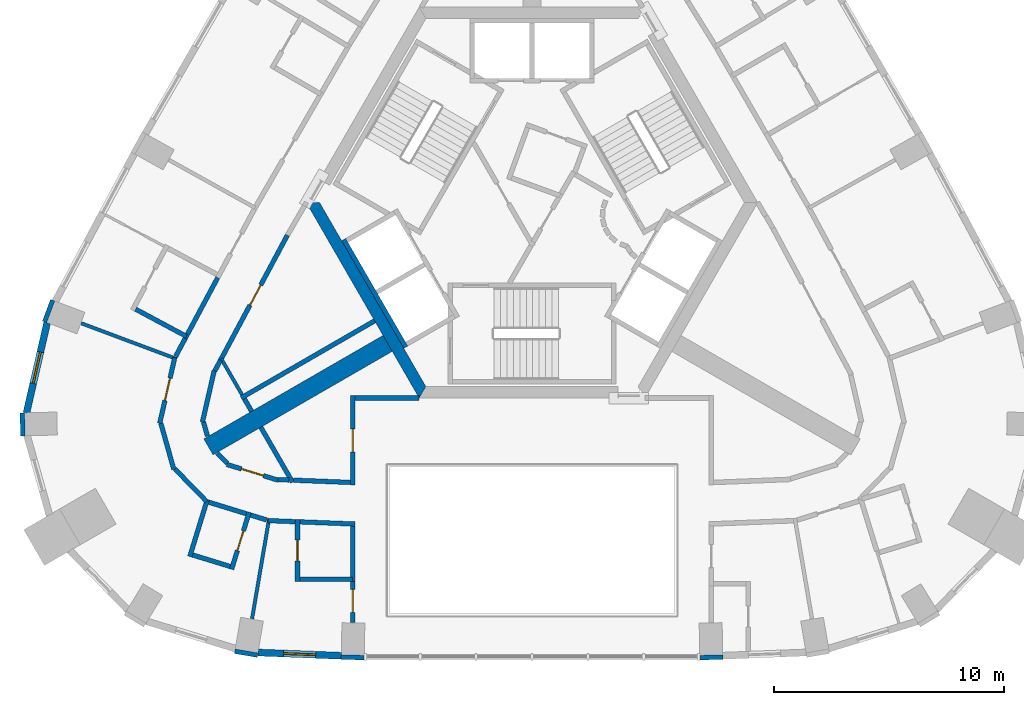
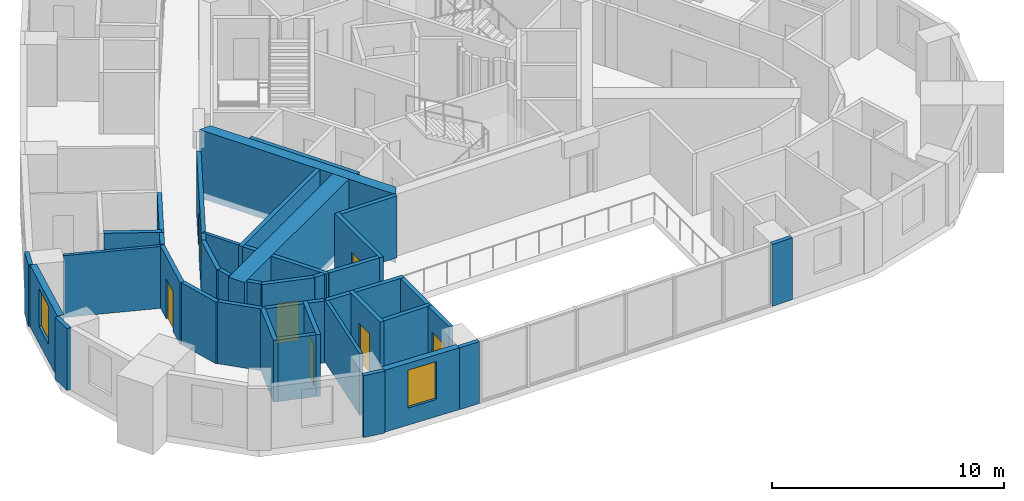
# One storey, part 2 of 9: 43 walls, 7 doors, 2 windows, 9 openings.
"""IFC4 building model written with IfcOpenShell, lengths in metres."""

from ifc_helpers import new_model, si_unit, direction, frame, frame_2d, origin, place, context, subcontext, project, spatial, polyline, rectangle, outline, extrude, material, layer, layer_set, type_object, element, fill, save


model = new_model("IFC4")

# Units and contexts
model_context = context("Model", 3, precision=1e-05, world=origin(), true_north=direction((0.0, 1.0)))
body_context = subcontext(model_context, "Body", "Model", "MODEL_VIEW")
ifc_project = project(units=[si_unit("LENGTHUNIT", "METRE"), si_unit("AREAUNIT", "SQUARE_METRE"), si_unit("VOLUMEUNIT", "CUBIC_METRE"), si_unit("PLANEANGLEUNIT", "RADIAN"), si_unit("MASSUNIT", "GRAM", prefix="KILO")], contexts=[model_context])

# Site, building, storey
site_placement = place(None, origin())
site = spatial("IfcSite", under=ifc_project, at=site_placement, CompositionType="ELEMENT")
building_placement = place(site_placement, origin())
building = spatial("IfcBuilding", under=site, at=building_placement, Name="Entoto Arch Interchange Tower", CompositionType="ELEMENT")
storey_placement = place(building_placement, frame((0.0, 0.0, 290.0)))
storey = spatial("IfcBuildingStorey", under=building, at=storey_placement, Name="L67", CompositionType="ELEMENT", Elevation=290.0)

# Walls
ifc_material_1 = material(Name="Concrete C40/50", Category="concrete")
ifc_layer_1 = layer(ifc_material_1, 0.800048828125)
ifc_layer_set_1 = layer_set([ifc_layer_1], Name="Concrete C40/50")
wall_type_1 = type_object("IfcWallType", Name="Buttress wall 800 C40/50", PredefinedType="SHEAR", material=ifc_layer_set_1)
wall_1_placement = place(storey_placement, frame((-6.279052734375, -3.625, -0.340087890625), z_axis=(0.0, 0.0, 1.0), x_axis=(-0.866017533419, -0.500013631625, 0.0)))
element("IfcWall", 1, at=wall_1_placement, inside=storey, type_object=wall_type_1, Name="Buttress wall SW L67", PredefinedType="SHEAR", context=body_context, shape_type="SweptSolid", body=[
    extrude(rectangle(XDim=8.999755859375, YDim=0.800048828125, at=frame_2d((4.5, 0.0))), origin(), (0.0, 0.0, 1.0), 3.60009765625),
])
ifc_layer_2 = layer(ifc_material_1, 0.5)
ifc_layer_set_2 = layer_set([ifc_layer_2], Name="Concrete C40/50")
wall_type_2 = type_object("IfcWallType", Name="Core wall 500 C40/50", PredefinedType="SHEAR", material=ifc_layer_set_2)
wall_2_placement = place(storey_placement, frame((0.0, 0.0, -0.340087890625)))
element("IfcWall", 2, at=wall_2_placement, inside=storey, type_object=wall_type_2, Name="Core wall SW L67", PredefinedType="SHEAR", context=body_context, shape_type="SweptSolid", body=[
    extrude(outline(polyline([(-9.81494140625, 2.5), (-4.906982421875, -6.0), (-4.618896484375, -5.5), (-9.238037109375, 2.5), (-9.81494140625, 2.5)])), origin(), (0.0, 0.0, 1.0), 3.60009765625),
])
ifc_layer_3 = layer(ifc_material_1, 0.199951171875)
ifc_layer_set_3 = layer_set([ifc_layer_3], Name="Concrete C40/50")
wall_type_3 = type_object("IfcWallType", Name="LIFT SHAFT WALL 200", PredefinedType="STANDARD", material=ifc_layer_set_3)
wall_3_placement = place(storey_placement, frame((-8.19189453125, 0.887939453125, 0.0), z_axis=(0.0, 0.0, 1.0), x_axis=(0.500034260056, -0.866005622828, 0.0)))
element("IfcWall", 3, at=wall_3_placement, inside=storey, type_object=wall_type_3, Name="Shaft wall SW1 back", PredefinedType="STANDARD", context=body_context, shape_type="SweptSolid", body=[
    extrude(rectangle(XDim=5.3994140625, YDim=0.199951171875, at=frame_2d((2.69970703125, 0.0))), origin(), (0.0, 0.0, 1.0), 3.260009765625),
])
ifc_material_2 = material(Name="Gypsum board partition on steel studs", Category="steel")
ifc_layer_4 = layer(ifc_material_2, 0.14990234375)
ifc_layer_set_4 = layer_set([ifc_layer_4], Name="Gypsum board partition on steel studs")
wall_type_4 = type_object("IfcWallType", Name="PARTITION 150", PredefinedType="PARTITIONING", material=ifc_layer_set_4)
wall_4_placement = place(storey_placement, frame((-12.611083984375, -5.85693359375, 0.0), z_axis=(0.0, 0.0, 1.0), x_axis=(-0.500120037633, 0.865956088932, 0.0)))
element("IfcWall", 4, at=wall_4_placement, inside=storey, type_object=wall_type_4, Name="wall:L67:p083", PredefinedType="PARTITIONING", context=body_context, shape_type="SweptSolid", body=[
    extrude(rectangle(XDim=1.80712890625, YDim=0.14990234375, at=frame_2d((0.903564453125, 0.0))), origin(), (0.0, 0.0, 1.0), 3.260009765625),
])
wall_5_placement = place(storey_placement, frame((-15.449951171875, -4.303955078125, 0.0), z_axis=(0.0, 0.0, 1.0), x_axis=(-0.936458128132, 0.350779381172, 0.0)))
element("IfcWall", 5, at=wall_5_placement, inside=storey, type_object=wall_type_4, Name="wall:L67:p126", PredefinedType="PARTITIONING", context=body_context, shape_type="SweptSolid", body=[
    extrude(rectangle(XDim=4.432861328125, YDim=0.14990234375, at=frame_2d((2.21630859375, 0.0))), origin(), (0.0, 0.0, 1.0), 3.260009765625),
])
wall_6_placement = place(storey_placement, frame((-11.431884765625, -11.23388671875, 0.0), z_axis=(0.0, 0.0, 1.0), x_axis=(-0.16797255243, -0.98579167253, 0.0)))
element("IfcWall", 6, at=wall_6_placement, inside=storey, type_object=wall_type_4, Name="wall:L67:p130", PredefinedType="PARTITIONING", context=body_context, shape_type="SweptSolid", body=[
    extrude(rectangle(XDim=4.43017578125, YDim=0.14990234375, at=frame_2d((2.215087890625, 0.0))), origin(), (0.0, 0.0, 1.0), 3.260009765625),
])

# Wall, opening, door
ifc_layer_5 = layer(ifc_material_2, 0.199951171875)
ifc_layer_set_5 = layer_set([ifc_layer_5], Name="Gypsum board partition on steel studs")
wall_type_5 = type_object("IfcWallType", Name="PARTITION 200", PredefinedType="PARTITIONING", material=ifc_layer_set_5)
wall_7_placement = place(storey_placement, frame((-10.638916015625, 1.083984375, 0.0), z_axis=(0.0, 0.0, 1.0), x_axis=(-0.471696599276, -0.881760918975, 0.0)))
wall_7 = element("IfcWall", 7, at=wall_7_placement, inside=storey, type_object=wall_type_5, Name="wall:L67:p022", PredefinedType="PARTITIONING", context=body_context, shape_type="SweptSolid", body=[
    extrude(rectangle(XDim=6.171630859375, YDim=0.199951171875, at=frame_2d((3.0859375, 0.0))), origin(), (0.0, 0.0, 1.0), 3.260009765625),
])
opening_1_placement = place(wall_7_placement, frame((2.4580078125, 0.0, 0.0)))
opening_1 = element("IfcOpeningElement", 8, at=opening_1_placement, cuts=wall_7, Name="Opening L67-D31", PredefinedType="OPENING", context=body_context, shape_type="SweptSolid", body=[
    extrude(rectangle(XDim=1.0, YDim=2.10009765625, at=frame_2d((0.5, 1.050048828125))), frame((0.0, 0.10986328125, 0.0), z_axis=(0.0, -1.0, 0.0), x_axis=(1.0, 0.0, 0.0)), (0.0, 0.0, 1.0), 0.219970703125),
])
ifc_material_3 = material(Name="Timber door leaf in Steel S235 frame", Category="steel")
door_type_1 = type_object("IfcDoorType", Name="DOOR DS-10 1000x2100", OperationType="SINGLE_SWING_LEFT", PredefinedType="DOOR", material=ifc_material_3)
door_1_placement = place(opening_1_placement, origin())
door_1 = element("IfcDoor", 9, at=door_1_placement, inside=storey, type_object=door_type_1, Name="door:L67:31", OperationType="SINGLE_SWING_LEFT", OverallHeight=2.10009765625, OverallWidth=1.0, PredefinedType="DOOR", context=body_context, shape_type="SweptSolid", body=[
    extrude(rectangle(XDim=1.0, YDim=2.10009765625, at=frame_2d((0.5, 1.050048828125))), frame((0.0, 0.02490234375, 0.0), z_axis=(0.0, -1.0, 0.0), x_axis=(1.0, 0.0, 0.0)), (0.0, 0.0, 1.0), 0.050048828125),
])
fill(opening_1, door_1)

# Walls
wall_8_placement = place(storey_placement, frame((-10.366943359375, -9.573974609375, 0.0), z_axis=(0.0, 0.0, 1.0), x_axis=(0.999229139158, -0.039257196264, 0.0)))
element("IfcWall", 10, at=wall_8_placement, inside=storey, type_object=wall_type_5, Name="wall:L67:p023", PredefinedType="PARTITIONING", context=body_context, shape_type="SweptSolid", body=[
    extrude(rectangle(XDim=2.468994140625, YDim=0.199951171875, at=frame_2d((1.234375, 0.0))), origin(), (0.0, 0.0, 1.0), 3.260009765625),
])
wall_9_placement = place(storey_placement, frame((-13.550048828125, -4.35791015625, 0.0), z_axis=(0.0, 0.0, 1.0), x_axis=(-0.472169364753, -0.881507850781, 0.0)))
element("IfcWall", 11, at=wall_9_placement, inside=storey, type_object=wall_type_5, Name="wall:L67:p024", PredefinedType="PARTITIONING", context=body_context, shape_type="SweptSolid", body=[
    extrude(rectangle(XDim=0.520751953125, YDim=0.199951171875, at=frame_2d((0.26025390625, 0.0))), origin(), (0.0, 0.0, 1.0), 3.260009765625),
])
wall_10_placement = place(storey_placement, frame((-13.821044921875, -4.80810546875, 0.0), z_axis=(0.0, 0.0, 1.0), x_axis=(-0.223248099856, -0.97476165595, 0.0)))
element("IfcWall", 12, at=wall_10_placement, inside=storey, type_object=wall_type_5, Name="wall:L67:p025", PredefinedType="PARTITIONING", context=body_context, shape_type="SweptSolid", body=[
    extrude(rectangle(XDim=2.302001953125, YDim=0.199951171875, at=frame_2d((1.15087890625, 0.0))), origin(), (0.0, 0.0, 1.0), 3.260009765625),
])
wall_11_placement = place(storey_placement, frame((-14.285888671875, -7.051025390625, 0.0), z_axis=(0.0, 0.0, 1.0), x_axis=(0.270633612894, -0.96268242301, 0.0)))
element("IfcWall", 13, at=wall_11_placement, inside=storey, type_object=wall_type_5, Name="wall:L67:p026", PredefinedType="PARTITIONING", context=body_context, shape_type="SweptSolid", body=[
    extrude(rectangle(XDim=0.631591796875, YDim=0.199951171875, at=frame_2d((0.31591796875, 0.0))), origin(), (0.0, 0.0, 1.0), 3.260009765625),
])
wall_12_placement = place(storey_placement, frame((-13.68994140625, -8.39501953125, 0.0), z_axis=(0.0, 0.0, 1.0), x_axis=(0.698333537371, -0.715772499181, 0.0)))
element("IfcWall", 14, at=wall_12_placement, inside=storey, type_object=wall_type_5, Name="wall:L67:p027", PredefinedType="PARTITIONING", context=body_context, shape_type="SweptSolid", body=[
    extrude(rectangle(XDim=0.6298828125, YDim=0.199951171875, at=frame_2d((0.31494140625, 0.0))), origin(), (0.0, 0.0, 1.0), 3.260009765625),
])

# Wall, opening, door
wall_13_placement = place(storey_placement, frame((-13.27490234375, -8.887939453125, 0.0), z_axis=(0.0, 0.0, 1.0), x_axis=(0.955792602122, -0.294041666654, 0.0)))
wall_13 = element("IfcWall", 15, at=wall_13_placement, inside=storey, type_object=wall_type_5, Name="wall:L67:p028", PredefinedType="PARTITIONING", context=body_context, shape_type="SweptSolid", body=[
    extrude(rectangle(XDim=2.329833984375, YDim=0.199951171875, at=frame_2d((1.1650390625, 0.0))), origin(), (0.0, 0.0, 1.0), 3.260009765625),
])
opening_2_placement = place(wall_13_placement, frame((0.6650390625, 0.0, 0.0)))
opening_2 = element("IfcOpeningElement", 16, at=opening_2_placement, cuts=wall_13, Name="Opening L67-D33", PredefinedType="OPENING", context=body_context, shape_type="SweptSolid", body=[
    extrude(rectangle(XDim=1.0, YDim=2.10009765625, at=frame_2d((0.5, 1.050048828125))), frame((0.0, 0.10986328125, 0.0), z_axis=(0.0, -1.0, 0.0), x_axis=(1.0, 0.0, 0.0)), (0.0, 0.0, 1.0), 0.219970703125),
])
door_2_placement = place(opening_2_placement, origin())
door_2 = element("IfcDoor", 17, at=door_2_placement, inside=storey, type_object=door_type_1, Name="door:L67:33", OperationType="SINGLE_SWING_LEFT", OverallHeight=2.10009765625, OverallWidth=1.0, PredefinedType="DOOR", context=body_context, shape_type="SweptSolid", body=[
    extrude(rectangle(XDim=1.0, YDim=2.10009765625, at=frame_2d((0.5, 1.050048828125))), frame((0.0, 0.02490234375, 0.0), z_axis=(0.0, -1.0, 0.0), x_axis=(1.0, 0.0, 0.0)), (0.0, 0.0, 1.0), 0.050048828125),
])
fill(opening_2, door_2)

# Walls
wall_14_placement = place(storey_placement, frame((-11.0439453125, -9.547119140625, 0.0), z_axis=(0.0, 0.0, 1.0), x_axis=(0.999224473046, -0.039375785274, 0.0)))
element("IfcWall", 18, at=wall_14_placement, inside=storey, type_object=wall_type_5, Name="wall:L67:p029", PredefinedType="PARTITIONING", context=body_context, shape_type="SweptSolid", body=[
    extrude(rectangle(XDim=0.4775390625, YDim=0.199951171875, at=frame_2d((0.23876953125, 0.0))), origin(), (0.0, 0.0, 1.0), 3.260009765625),
])
wall_15_placement = place(storey_placement, frame((-15.49609375, -4.179931640625, 0.0), z_axis=(0.0, 0.0, 1.0), x_axis=(0.471280380621, 0.881983448167, 0.0)))
element("IfcWall", 19, at=wall_15_placement, inside=storey, type_object=wall_type_5, Name="wall:L67:p052", PredefinedType="PARTITIONING", context=body_context, shape_type="SweptSolid", body=[
    extrude(rectangle(XDim=0.878662109375, YDim=0.199951171875, at=frame_2d((0.439453125, 0.0))), origin(), (0.0, 0.0, 1.0), 3.260009765625),
])
wall_16_placement = place(storey_placement, frame((-15.08203125, -3.405029296875, 0.0), z_axis=(0.0, 0.0, 1.0), x_axis=(0.471719946084, 0.88174842924, 0.0)))
element("IfcWall", 20, at=wall_16_placement, inside=storey, type_object=wall_type_5, Name="wall:L67:p053", PredefinedType="PARTITIONING", context=body_context, shape_type="SweptSolid", body=[
    extrude(rectangle(XDim=2.999755859375, YDim=0.199951171875, at=frame_2d((1.5, 0.0))), origin(), (0.0, 0.0, 1.0), 3.260009765625),
])
wall_17_placement = place(storey_placement, frame((-11.5439453125, -11.302978515625, 0.0), z_axis=(0.0, 0.0, 1.0), x_axis=(-0.956186468463, 0.292758326147, 0.0)))
element("IfcWall", 21, at=wall_17_placement, inside=storey, type_object=wall_type_5, Name="wall:L67:p054", PredefinedType="PARTITIONING", context=body_context, shape_type="SweptSolid", body=[
    extrude(rectangle(XDim=0.723876953125, YDim=0.199951171875, at=frame_2d((0.36181640625, 0.0))), origin(), (0.0, 0.0, 1.0), 3.260009765625),
])
wall_18_placement = place(storey_placement, frame((-14.14697265625, -10.5029296875, 0.0), z_axis=(0.0, 0.0, 1.0), x_axis=(-0.698515752779, 0.715594677957, 0.0)))
element("IfcWall", 22, at=wall_18_placement, inside=storey, type_object=wall_type_5, Name="wall:L67:p055", PredefinedType="PARTITIONING", context=body_context, shape_type="SweptSolid", body=[
    extrude(rectangle(XDim=1.987060546875, YDim=0.199951171875, at=frame_2d((0.99365234375, 0.0))), origin(), (0.0, 0.0, 1.0), 3.260009765625),
])
wall_19_placement = place(storey_placement, frame((-15.577880859375, -9.10595703125, 0.0), z_axis=(0.0, 0.0, 1.0), x_axis=(-0.270688011946, 0.962667128445, 0.0)))
element("IfcWall", 23, at=wall_19_placement, inside=storey, type_object=wall_type_5, Name="wall:L67:p056", PredefinedType="PARTITIONING", context=body_context, shape_type="SweptSolid", body=[
    extrude(rectangle(XDim=2.087890625, YDim=0.199951171875, at=frame_2d((1.0439453125, 0.0))), origin(), (0.0, 0.0, 1.0), 3.260009765625),
])

# Wall, opening, door
wall_20_placement = place(storey_placement, frame((-16.19189453125, -7.097900390625, 0.0), z_axis=(0.0, 0.0, 1.0), x_axis=(0.22330023395, 0.974749714295, 0.0)))
wall_20 = element("IfcWall", 24, at=wall_20_placement, inside=storey, type_object=wall_type_5, Name="wall:L67:p057", PredefinedType="PARTITIONING", context=body_context, shape_type="SweptSolid", body=[
    extrude(rectangle(XDim=2.927978515625, YDim=0.199951171875, at=frame_2d((1.4638671875, 0.0))), origin(), (0.0, 0.0, 1.0), 3.260009765625),
])
opening_3_placement = place(wall_20_placement, frame((1.013916015625, 0.0, 0.0)))
opening_3 = element("IfcOpeningElement", 25, at=opening_3_placement, cuts=wall_20, Name="Opening L67-D24", PredefinedType="OPENING", context=body_context, shape_type="SweptSolid", body=[
    extrude(rectangle(XDim=1.0, YDim=2.10009765625, at=frame_2d((0.5, 1.050048828125))), frame((0.0, 0.10986328125, 0.0), z_axis=(0.0, -1.0, 0.0), x_axis=(1.0, 0.0, 0.0)), (0.0, 0.0, 1.0), 0.219970703125),
])
ifc_material_4 = material(Name="Fire-rated Steel S235 door and frame", Category="steel")
door_type_2 = type_object("IfcDoorType", Name="DOOR FD-10 1000x2100", OperationType="SINGLE_SWING_LEFT", PredefinedType="DOOR", material=ifc_material_4)
door_3_placement = place(opening_3_placement, origin())
door_3 = element("IfcDoor", 26, at=door_3_placement, inside=storey, type_object=door_type_2, Name="door:L67:24", OperationType="SINGLE_SWING_LEFT", OverallHeight=2.10009765625, OverallWidth=1.0, PredefinedType="DOOR", context=body_context, shape_type="SweptSolid", body=[
    extrude(rectangle(XDim=1.0, YDim=2.10009765625, at=frame_2d((0.5, 1.050048828125))), frame((0.0, 0.02490234375, 0.0), z_axis=(0.0, -1.0, 0.0), x_axis=(1.0, 0.0, 0.0)), (0.0, 0.0, 1.0), 0.050048828125),
])
fill(opening_3, door_3)

# Walls
wall_21_placement = place(storey_placement, frame((-12.427001953125, -11.031982421875, 0.0), z_axis=(0.0, 0.0, 1.0), x_axis=(-0.955940341053, 0.293561006177, 0.0)))
element("IfcWall", 27, at=wall_21_placement, inside=storey, type_object=wall_type_5, Name="wall:L67:p058", PredefinedType="PARTITIONING", context=body_context, shape_type="SweptSolid", body=[
    extrude(rectangle(XDim=1.699951171875, YDim=0.199951171875, at=frame_2d((0.85009765625, 0.0))), origin(), (0.0, 0.0, 1.0), 3.260009765625),
])
wall_22_placement = place(storey_placement, frame((-10.299072265625, -11.3779296875, 0.0), z_axis=(0.0, 0.0, 1.0), x_axis=(-0.999237995813, 0.03903111224, 0.0)))
element("IfcWall", 28, at=wall_22_placement, inside=storey, type_object=wall_type_5, Name="wall:L67:p059", PredefinedType="PARTITIONING", context=body_context, shape_type="SweptSolid", body=[
    extrude(rectangle(XDim=1.176025390625, YDim=0.199951171875, at=frame_2d((0.587890625, 0.0))), origin(), (0.0, 0.0, 1.0), 3.260009765625),
])
wall_23_placement = place(storey_placement, frame((-7.699951171875, -11.47998046875, 0.0), z_axis=(0.0, 0.0, 1.0), x_axis=(-0.999233433291, 0.039147743138, 0.0)))
element("IfcWall", 29, at=wall_23_placement, inside=storey, type_object=wall_type_5, Name="wall:L67:p060", PredefinedType="PARTITIONING", context=body_context, shape_type="SweptSolid", body=[
    extrude(rectangle(XDim=2.401123046875, YDim=0.199951171875, at=frame_2d((1.20068359375, 0.0))), origin(), (0.0, 0.0, 1.0), 3.260009765625),
])

# Wall, opening, door
wall_24_placement = place(storey_placement, frame((-7.800048828125, -9.77490234375, 0.0), z_axis=(0.0, 0.0, 1.0), x_axis=(0.0, 1.0, 0.0)))
wall_24 = element("IfcWall", 30, at=wall_24_placement, inside=storey, type_object=wall_type_5, Name="wall:L67:p075", PredefinedType="PARTITIONING", context=body_context, shape_type="SweptSolid", body=[
    extrude(rectangle(XDim=3.8759765625, YDim=0.199951171875, at=frame_2d((1.93798828125, 0.0))), origin(), (0.0, 0.0, 1.0), 3.260009765625),
])
opening_4_placement = place(wall_24_placement, frame((1.43798828125, 0.0, 0.0)))
opening_4 = element("IfcOpeningElement", 31, at=opening_4_placement, cuts=wall_24, Name="Opening L67-D32", PredefinedType="OPENING", context=body_context, shape_type="SweptSolid", body=[
    extrude(rectangle(XDim=1.0, YDim=2.10009765625, at=frame_2d((0.5, 1.050048828125))), frame((0.0, 0.10986328125, 0.0), z_axis=(0.0, -1.0, 0.0), x_axis=(1.0, 0.0, 0.0)), (0.0, 0.0, 1.0), 0.219970703125),
])
door_4_placement = place(opening_4_placement, origin())
door_4 = element("IfcDoor", 32, at=door_4_placement, inside=storey, type_object=door_type_1, Name="door:L67:32", OperationType="SINGLE_SWING_LEFT", OverallHeight=2.10009765625, OverallWidth=1.0, PredefinedType="DOOR", context=body_context, shape_type="SweptSolid", body=[
    extrude(rectangle(XDim=1.0, YDim=2.10009765625, at=frame_2d((0.5, 1.050048828125))), frame((0.0, 0.02490234375, 0.0), z_axis=(0.0, -1.0, 0.0), x_axis=(1.0, 0.0, 0.0)), (0.0, 0.0, 1.0), 0.050048828125),
])
fill(opening_4, door_4)

# Wall
wall_25_placement = place(storey_placement, frame((-7.699951171875, -5.9990234375, 0.0), z_axis=(0.0, 0.0, 1.0), x_axis=(1.0, 0.0, 0.0)))
element("IfcWall", 33, at=wall_25_placement, inside=storey, type_object=wall_type_5, Name="wall:L67:p076", PredefinedType="PARTITIONING", context=body_context, shape_type="SweptSolid", body=[
    extrude(rectangle(XDim=2.7919921875, YDim=0.199951171875, at=frame_2d((1.39599609375, 0.0))), origin(), (0.0, 0.0, 1.0), 3.260009765625),
])

# Wall, opening, door
wall_26_placement = place(storey_placement, frame((-7.800048828125, -15.760986328125, 0.0), z_axis=(0.0, 0.0, 1.0), x_axis=(0.0, 1.0, 0.0)))
wall_26 = element("IfcWall", 34, at=wall_26_placement, inside=storey, type_object=wall_type_5, Name="wall:L67:p079", PredefinedType="PARTITIONING", context=body_context, shape_type="SweptSolid", body=[
    extrude(rectangle(XDim=1.784912109375, YDim=0.199951171875, at=frame_2d((0.892578125, 0.0))), origin(), (0.0, 0.0, 1.0), 3.260009765625),
])
opening_5_placement = place(wall_26_placement, frame((0.44189453125, 0.0, 0.0)))
opening_5 = element("IfcOpeningElement", 35, at=opening_5_placement, cuts=wall_26, Name="Opening L67-D26", PredefinedType="OPENING", context=body_context, shape_type="SweptSolid", body=[
    extrude(rectangle(XDim=1.0, YDim=2.10009765625, at=frame_2d((0.5, 1.050048828125))), frame((0.0, 0.10986328125, 0.0), z_axis=(0.0, -1.0, 0.0), x_axis=(1.0, 0.0, 0.0)), (0.0, 0.0, 1.0), 0.219970703125),
])
door_5_placement = place(opening_5_placement, origin())
door_5 = element("IfcDoor", 36, at=door_5_placement, inside=storey, type_object=door_type_2, Name="door:L67:26", OperationType="SINGLE_SWING_RIGHT", OverallHeight=2.10009765625, OverallWidth=1.0, PredefinedType="DOOR", context=body_context, shape_type="SweptSolid", body=[
    extrude(rectangle(XDim=1.0, YDim=2.10009765625, at=frame_2d((0.5, 1.050048828125))), frame((0.0, 0.02490234375, 0.0), z_axis=(0.0, -1.0, 0.0), x_axis=(1.0, 0.0, 0.0)), (0.0, 0.0, 1.0), 0.050048828125),
])
fill(opening_5, door_5)

# Walls
wall_27_placement = place(storey_placement, frame((-7.800048828125, -13.97607421875, 0.0), z_axis=(0.0, 0.0, 1.0), x_axis=(0.0, 1.0, 0.0)))
element("IfcWall", 37, at=wall_27_placement, inside=storey, type_object=wall_type_5, Name="wall:L67:p080", PredefinedType="PARTITIONING", context=body_context, shape_type="SweptSolid", body=[
    extrude(rectangle(XDim=2.400146484375, YDim=0.199951171875, at=frame_2d((1.2001953125, 0.0))), origin(), (0.0, 0.0, 1.0), 3.260009765625),
])
wall_28_placement = place(storey_placement, frame((-6.844970703125, -2.64306640625, 0.0), z_axis=(0.0, 0.0, 1.0), x_axis=(-0.865994457699, -0.500053596362, 0.0)))
element("IfcWall", 38, at=wall_28_placement, inside=storey, type_object=wall_type_5, Name="wall:L67:p082", PredefinedType="PARTITIONING", context=body_context, shape_type="SweptSolid", body=[
    extrude(rectangle(XDim=6.700927734375, YDim=0.199951171875, at=frame_2d((3.3505859375, 0.0))), origin(), (0.0, 0.0, 1.0), 3.260009765625),
])
wall_29_placement = place(storey_placement, frame((-10.4169921875, -9.656982421875, 0.0), z_axis=(0.0, 0.0, 1.0), x_axis=(-0.499837531988, 0.866119184418, 0.0)))
element("IfcWall", 39, at=wall_29_placement, inside=storey, type_object=wall_type_5, Name="wall:L67:p084", PredefinedType="PARTITIONING", context=body_context, shape_type="SweptSolid", body=[
    extrude(rectangle(XDim=2.7548828125, YDim=0.199951171875, at=frame_2d((1.37744140625, 0.0))), origin(), (0.0, 0.0, 1.0), 3.260009765625),
])
wall_30_placement = place(storey_placement, frame((-17.239013671875, -2.136962890625, 0.0), z_axis=(0.0, 0.0, 1.0), x_axis=(0.881706262609, -0.471798756332, 0.0)))
element("IfcWall", 40, at=wall_30_placement, inside=storey, type_object=wall_type_5, Name="wall:L67:p125", PredefinedType="PARTITIONING", context=body_context, shape_type="SweptSolid", body=[
    extrude(rectangle(XDim=2.5009765625, YDim=0.199951171875, at=frame_2d((1.25048828125, 0.0))), origin(), (0.0, 0.0, 1.0), 3.260009765625),
])
wall_31_placement = place(storey_placement, frame((-14.117919921875, -10.407958984375, 0.0), z_axis=(0.0, 0.0, 1.0), x_axis=(-0.293914282011, -0.955831781659, 0.0)))
element("IfcWall", 41, at=wall_31_placement, inside=storey, type_object=wall_type_5, Name="wall:L67:p127", PredefinedType="PARTITIONING", context=body_context, shape_type="SweptSolid", body=[
    extrude(rectangle(XDim=2.599853515625, YDim=0.199951171875, at=frame_2d((1.2998046875, 0.0))), origin(), (0.0, 0.0, 1.0), 3.260009765625),
])
wall_32_placement = place(storey_placement, frame((-14.757080078125, -12.826904296875, 0.0), z_axis=(0.0, 0.0, 1.0), x_axis=(0.955940341053, -0.293561006177, 0.0)))
element("IfcWall", 42, at=wall_32_placement, inside=storey, type_object=wall_type_5, Name="wall:L67:p128", PredefinedType="PARTITIONING", context=body_context, shape_type="SweptSolid", body=[
    extrude(rectangle(XDim=1.699951171875, YDim=0.199951171875, at=frame_2d((0.85009765625, 0.0))), origin(), (0.0, 0.0, 1.0), 3.260009765625),
])

# Wall, opening, door
wall_33_placement = place(storey_placement, frame((-13.06591796875, -13.450927734375, 0.0), z_axis=(0.0, 0.0, 1.0), x_axis=(0.293854864179, 0.955850050373, 0.0)))
wall_33 = element("IfcWall", 43, at=wall_33_placement, inside=storey, type_object=wall_type_5, Name="wall:L67:p129", PredefinedType="PARTITIONING", context=body_context, shape_type="SweptSolid", body=[
    extrude(rectangle(XDim=2.599609375, YDim=0.199951171875, at=frame_2d((1.2998046875, 0.0))), origin(), (0.0, 0.0, 1.0), 3.260009765625),
])
opening_6_placement = place(wall_33_placement, frame((0.85009765625, 0.0, 0.0)))
opening_6 = element("IfcOpeningElement", 44, at=opening_6_placement, cuts=wall_33, Name="Opening L67-D25", PredefinedType="OPENING", context=body_context, shape_type="SweptSolid", body=[
    extrude(rectangle(XDim=0.89990234375, YDim=2.10009765625, at=frame_2d((0.449951171875, 1.050048828125))), frame((0.0, 0.10986328125, 0.0), z_axis=(0.0, -1.0, 0.0), x_axis=(1.0, 0.0, 0.0)), (0.0, 0.0, 1.0), 0.219970703125),
])
door_type_3 = type_object("IfcDoorType", Name="DOOR DS-09 900x2100", OperationType="SINGLE_SWING_LEFT", PredefinedType="DOOR", material=ifc_material_3)
door_6_placement = place(opening_6_placement, origin())
door_6 = element("IfcDoor", 45, at=door_6_placement, inside=storey, type_object=door_type_3, Name="door:L67:25", OperationType="SINGLE_SWING_LEFT", OverallHeight=2.10009765625, OverallWidth=0.89990234375, PredefinedType="DOOR", context=body_context, shape_type="SweptSolid", body=[
    extrude(rectangle(XDim=0.89990234375, YDim=2.10009765625, at=frame_2d((0.449951171875, 1.050048828125))), frame((0.0, 0.02490234375, 0.0), z_axis=(0.0, -1.0, 0.0), x_axis=(1.0, 0.0, 0.0)), (0.0, 0.0, 1.0), 0.050048828125),
])
fill(opening_6, door_6)

wall_34_placement = place(storey_placement, frame((-10.198974609375, -11.281982421875, 0.0), z_axis=(0.0, 0.0, 1.0), x_axis=(-0.000362482985, -0.999999934303, 0.0)))
wall_34 = element("IfcWall", 46, at=wall_34_placement, inside=storey, type_object=wall_type_5, Name="wall:L67:p131", PredefinedType="PARTITIONING", context=body_context, shape_type="SweptSolid", body=[
    extrude(rectangle(XDim=2.694091796875, YDim=0.199951171875, at=frame_2d((1.34716796875, 0.0))), origin(), (0.0, 0.0, 1.0), 3.260009765625),
])
opening_7_placement = place(wall_34_placement, frame((0.89697265625, 0.0, 0.0)))
opening_7 = element("IfcOpeningElement", 47, at=opening_7_placement, cuts=wall_34, Name="Opening L67-D27", PredefinedType="OPENING", context=body_context, shape_type="SweptSolid", body=[
    extrude(rectangle(XDim=0.89990234375, YDim=2.10009765625, at=frame_2d((0.449951171875, 1.050048828125))), frame((0.0, 0.10986328125, 0.0), z_axis=(0.0, -1.0, 0.0), x_axis=(1.0, 0.0, 0.0)), (0.0, 0.0, 1.0), 0.219970703125),
])
door_7_placement = place(opening_7_placement, origin())
door_7 = element("IfcDoor", 48, at=door_7_placement, inside=storey, type_object=door_type_3, Name="door:L67:27", OperationType="SINGLE_SWING_LEFT", OverallHeight=2.10009765625, OverallWidth=0.89990234375, PredefinedType="DOOR", context=body_context, shape_type="SweptSolid", body=[
    extrude(rectangle(XDim=0.89990234375, YDim=2.10009765625, at=frame_2d((0.449951171875, 1.050048828125))), frame((0.0, 0.02490234375, 0.0), z_axis=(0.0, -1.0, 0.0), x_axis=(1.0, 0.0, 0.0)), (0.0, 0.0, 1.0), 0.050048828125),
])
fill(opening_7, door_7)

# Walls
wall_35_placement = place(storey_placement, frame((-10.10009765625, -13.8759765625, 0.0), z_axis=(0.0, 0.0, 1.0), x_axis=(1.0, 0.0, 0.0)))
element("IfcWall", 49, at=wall_35_placement, inside=storey, type_object=wall_type_5, Name="wall:L67:p132", PredefinedType="PARTITIONING", context=body_context, shape_type="SweptSolid", body=[
    extrude(rectangle(XDim=2.300048828125, YDim=0.199951171875, at=frame_2d((1.14990234375, 0.0))), origin(), (0.0, 0.0, 1.0), 3.260009765625),
])
wall_36_placement = place(storey_placement, frame((-12.194091796875, -6.577880859375, 0.0), z_axis=(0.0, 0.0, 1.0), x_axis=(-0.500701704226, 0.865619895442, 0.0)))
element("IfcWall", 50, at=wall_36_placement, inside=storey, type_object=wall_type_5, Name="wall:L67:p084", PredefinedType="PARTITIONING", context=body_context, shape_type="SweptSolid", body=[
    extrude(rectangle(XDim=0.6328125, YDim=0.199951171875, at=frame_2d((0.31640625, 0.0))), origin(), (0.0, 0.0, 1.0), 3.260009765625),
])

# Wall, opening, window
ifc_material_5 = material(Name="Welded tuff (ignimbrite) cladding, warm buff", Category="masonry")
ifc_layer_6 = layer(ifc_material_5, 0.300048828125)
ifc_layer_set_6 = layer_set([ifc_layer_6], Name="Welded tuff (ignimbrite) cladding, warm buff")
wall_type_6 = type_object("IfcWallType", Name="STONE INFILL WALL 300", PredefinedType="STANDARD", material=ifc_layer_set_6)
wall_37_placement = place(storey_placement, frame((-11.919921875, -17.069091796875, 0.0), z_axis=(0.0, 0.0, 1.0), x_axis=(0.999234893779, -0.039110446866, 0.0)))
wall_37 = element("IfcWall", 51, at=wall_37_placement, inside=storey, type_object=wall_type_6, Name="Facade wall S-01 L67", PredefinedType="STANDARD", context=body_context, shape_type="SweptSolid", body=[
    extrude(rectangle(XDim=3.626708984375, YDim=0.300048828125, at=frame_2d((1.8134765625, 0.0))), origin(), (0.0, 0.0, 1.0), 3.260009765625),
])
opening_8_placement = place(wall_37_placement, frame((1.113037109375, 0.0, 0.89990234375)))
opening_8 = element("IfcOpeningElement", 52, at=opening_8_placement, cuts=wall_37, Name="Opening WH-B", PredefinedType="OPENING", context=body_context, shape_type="SweptSolid", body=[
    extrude(rectangle(XDim=1.39990234375, YDim=2.0, at=frame_2d((0.699951171875, 1.0))), frame((0.0, 0.16015625, 0.0), z_axis=(0.0, -1.0, 0.0), x_axis=(1.0, 0.0, 0.0)), (0.0, 0.0, 1.0), 0.320068359375),
])
ifc_material_6 = material(Name="Clear glass, low-e double glazed", Category="glass")
window_type = type_object("IfcWindowType", Name="WINDOW WH-B 1400x2000", PartitioningType="DOUBLE_PANEL_VERTICAL", PredefinedType="WINDOW", material=ifc_material_6)
window_1_placement = place(opening_8_placement, origin())
window_1 = element("IfcWindow", 53, at=window_1_placement, inside=storey, type_object=window_type, Name="Window WH-B S-01 L67", OverallHeight=2.0, OverallWidth=1.39990234375, PartitioningType="SINGLE_PANEL", PredefinedType="WINDOW", context=body_context, shape_type="SweptSolid", body=[
    extrude(rectangle(XDim=1.39990234375, YDim=2.0, at=frame_2d((0.699951171875, 1.0))), frame((0.0, 0.030029296875, 0.0), z_axis=(0.0, -1.0, 0.0), x_axis=(1.0, 0.0, 0.0)), (0.0, 0.0, 1.0), 0.06005859375),
])
fill(opening_8, window_1)

wall_38_placement = place(storey_placement, frame((-21.089111328125, -2.72509765625, 0.0), z_axis=(0.0, 0.0, 1.0), x_axis=(-0.223448307338, -0.974715781112, 0.0)))
wall_38 = element("IfcWall", 54, at=wall_38_placement, inside=storey, type_object=wall_type_6, Name="Facade wall SW-01 L67", PredefinedType="STANDARD", context=body_context, shape_type="SweptSolid", body=[
    extrude(rectangle(XDim=4.0185546875, YDim=0.300048828125, at=frame_2d((2.00927734375, 0.0))), origin(), (0.0, 0.0, 1.0), 3.260009765625),
])
opening_9_placement = place(wall_38_placement, frame((1.30908203125, 0.0, 0.89990234375)))
opening_9 = element("IfcOpeningElement", 55, at=opening_9_placement, cuts=wall_38, Name="Opening WH-B", PredefinedType="OPENING", context=body_context, shape_type="SweptSolid", body=[
    extrude(rectangle(XDim=1.39990234375, YDim=2.0, at=frame_2d((0.699951171875, 1.0))), frame((0.0, 0.16015625, 0.0), z_axis=(0.0, -1.0, 0.0), x_axis=(1.0, 0.0, 0.0)), (0.0, 0.0, 1.0), 0.320068359375),
])
window_2_placement = place(opening_9_placement, origin())
window_2 = element("IfcWindow", 56, at=window_2_placement, inside=storey, type_object=window_type, Name="Window WH-B SW-01 L67", OverallHeight=2.0, OverallWidth=1.39990234375, PartitioningType="SINGLE_PANEL", PredefinedType="WINDOW", context=body_context, shape_type="SweptSolid", body=[
    extrude(rectangle(XDim=1.39990234375, YDim=2.0, at=frame_2d((0.699951171875, 1.0))), frame((0.0, 0.030029296875, 0.0), z_axis=(0.0, -1.0, 0.0), x_axis=(1.0, 0.0, 0.0)), (0.0, 0.0, 1.0), 0.06005859375),
])
fill(opening_9, window_2)

# Walls
ifc_layer_7 = layer(ifc_material_5, 0.199951171875)
ifc_layer_set_7 = layer_set([ifc_layer_7], Name="Welded tuff (ignimbrite) cladding, warm buff")
wall_type_7 = type_object("IfcWallType", Name="STONE PIER CLADDING 200", PredefinedType="STANDARD", material=ifc_layer_set_7)
wall_39_placement = place(storey_placement, frame((-20.84912109375, -1.748046875, 0.0), z_axis=(0.0, 0.0, 1.0), x_axis=(-0.350962844851, -0.936389385637, 0.0)))
element("IfcWall", 57, at=wall_39_placement, inside=storey, type_object=wall_type_7, Name="Stone pier NW04 L67", PredefinedType="STANDARD", context=body_context, shape_type="SweptSolid", body=[
    extrude(rectangle(XDim=0.99951171875, YDim=0.199951171875, at=frame_2d((0.499755859375, 0.0))), origin(), (0.0, 0.0, 1.0), 3.260009765625),
])
for number, where, z_axis, x_axis, name in (
    (58, (-12.924072265625, -17.014892578125, 0.0), (0.0, 0.0, 1.0), (0.985760116403, -0.168157643031, 0.0), "Stone pier S01 L67"),
    (59, (-8.298095703125, -17.27099609375, 0.0), (0.0, 0.0, 1.0), (0.999799669399, -0.020015520725, 0.0), "Stone pier S02 L67"),
    (60, (7.298095703125, -17.291015625, 0.0), (0.0, 0.0, 1.0), (0.999799669399, 0.020015520725, 0.0), "Stone pier S03 L67"),
):
    element("IfcWall", number, at=place(storey_placement, frame(where, z_axis=z_axis, x_axis=x_axis)), inside=storey, type_object=wall_type_7, Name=name, PredefinedType="STANDARD", context=body_context, shape_type="SweptSolid", body=[
        extrude(rectangle(XDim=1.000244140625, YDim=0.199951171875, at=frame_2d((0.5, 0.0))), origin(), (0.0, 0.0, 1.0), 3.260009765625),
    ])
wall_40_placement = place(storey_placement, frame((-22.1689453125, -6.64599609375, 0.0), z_axis=(0.0, 0.0, 1.0), x_axis=(0.023942303888, -0.999713341956, 0.0)))
element("IfcWall", 61, at=wall_40_placement, inside=storey, type_object=wall_type_7, Name="Stone pier SW1 L67", PredefinedType="STANDARD", context=body_context, shape_type="SweptSolid", body=[
    extrude(rectangle(XDim=0.999267578125, YDim=0.199951171875, at=frame_2d((0.49951171875, 0.0))), origin(), (0.0, 0.0, 1.0), 3.260009765625),
])

save(model, "model.ifc")
